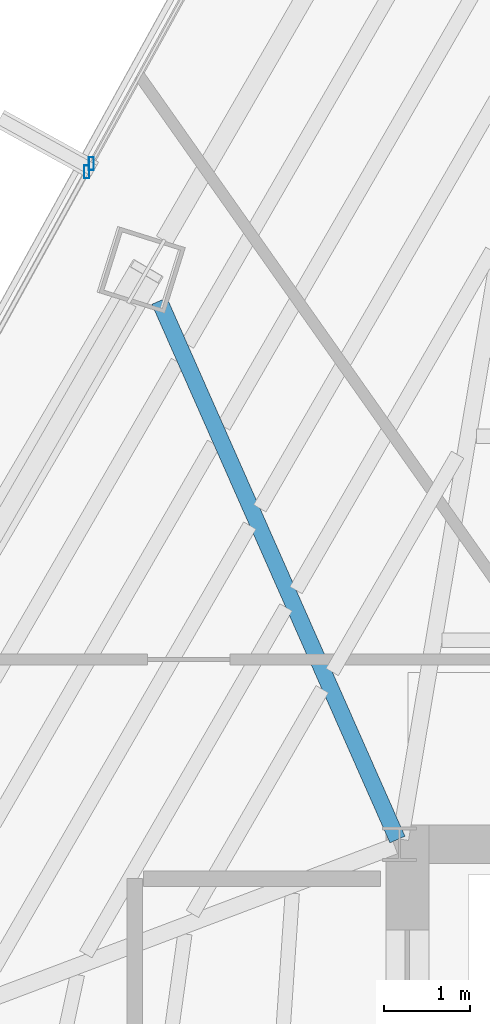
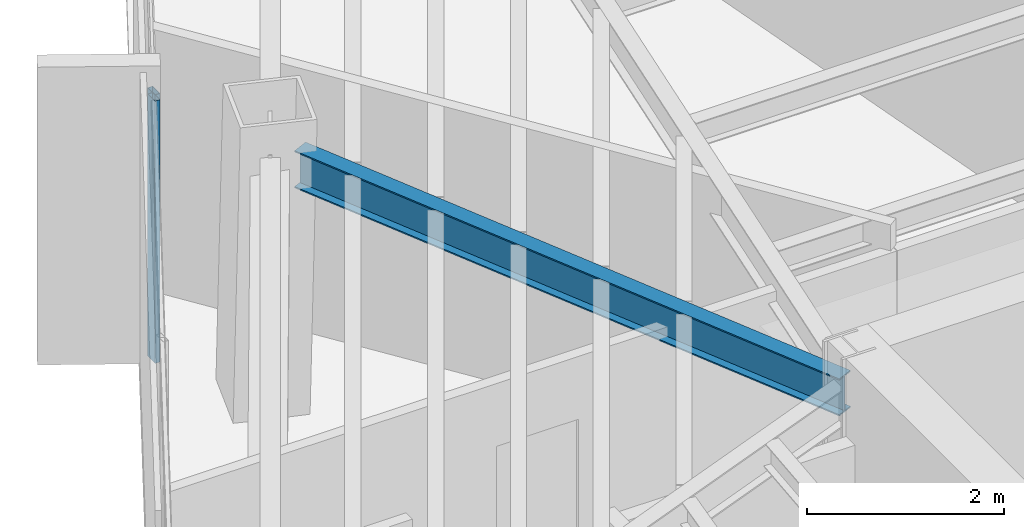
# One storey, part 16 of 40: 2 members, 1 beam, 2 elements without a shape of their own.
"""IFC4 building model written with IfcOpenShell, lengths in metres."""

from ifc_helpers import new_model, si_unit, direction, frame, origin, origin_2d, place, context, subcontext, project, spatial, hollow_rectangle, i_section, extrude, source, transform, mapped, material, material_profile, profile_set, type_object, type_shapes, element, aggregate, save


model = new_model("IFC4")

# Units and contexts
model_context = context("Model", 3, precision=1e-05, world=origin(), true_north=direction((0.0, 1.0)))
body_context = subcontext(model_context, "Body", "Model", "MODEL_VIEW")
ifc_project = project(units=[si_unit("LENGTHUNIT", "METRE"), si_unit("AREAUNIT", "SQUARE_METRE"), si_unit("VOLUMEUNIT", "CUBIC_METRE"), si_unit("PLANEANGLEUNIT", "RADIAN"), si_unit("MASSUNIT", "GRAM", prefix="KILO")], contexts=[model_context])

# Site, building, storey
site_placement = place(None, origin())
site = spatial("IfcSite", under=ifc_project, at=site_placement, CompositionType="ELEMENT")
building_placement = place(site_placement, origin())
building = spatial("IfcBuilding", under=site, at=building_placement, Name="Caelisora Broadcast Tower", CompositionType="ELEMENT")
storey_placement = place(building_placement, frame((0.0, 0.0, 216.89990234375)))
storey = spatial("IfcBuildingStorey", under=building, at=storey_placement, Name="L57", CompositionType="ELEMENT", Elevation=216.89990234375)

# Beam
ifc_material_1 = material(Name="Steel Grade 350 (AS/NZS 3679.1)", Category="steel")
ifc_material_profile_1 = material_profile(ifc_material_1, i_section(OverallWidth=0.19091796875, OverallDepth=0.46044921875, WebThickness=0.010009765625, FlangeThickness=0.01611328125, at=origin_2d()), Name="Steel Grade 350 (AS/NZS 3679.1)")
ifc_profile_set_1 = profile_set([ifc_material_profile_1], Name="Steel Grade 350 (AS/NZS 3679.1)")
beam_type = type_object("IfcBeamType", Name="PG06", PredefinedType="BEAM", material=ifc_profile_set_1)
shared_shape_1 = source(origin(), body_context, "Body", "SweptSolid", [
    extrude(i_section(OverallWidth=0.19091796875, OverallDepth=0.46044921875, WebThickness=0.010009765625, FlangeThickness=0.01611328125, at=origin_2d()), origin(), (0.0, 0.0, 1.0), 6.849365234375),
])
type_shapes(beam_type, [shared_shape_1])
beam_placement = place(storey_placement, frame((30.4755859375, 30.054931640625, 3.02001953125), z_axis=(-0.404351788184, 0.91460353782, 0.0), x_axis=(-0.91460353782, -0.404351788184, 0.0)))
element("IfcBeam", 1, at=beam_placement, inside=storey, type_object=beam_type, Name="L57 beam PG06", PredefinedType="BEAM", context=body_context, shape_type="MappedRepresentation", body=[
    mapped(shared_shape_1, transform((0.0, 0.0, 0.0), scale=1.0)),
])

# Curtain wall, member
ifc_material_2 = material(Name="Unitised Aluminium Insulated Shadow-Box Spandrel Curtain Wall", Category="aluminium")
curtain_wall_type_1 = type_object("IfcCurtainWallType", Name="CW-SP2", PredefinedType="NOTDEFINED", material=ifc_material_2)
curtain_wall_1_placement = place(storey_placement, origin())
curtain_wall_1 = element("IfcCurtainWall", 2, at=curtain_wall_1_placement, inside=storey, type_object=curtain_wall_type_1, Name="L57 curtain wall CW-SP2", PredefinedType="NOTDEFINED")
ifc_material_3 = material(Name="Aluminium 6063-T6 Anodised Terracotta Bronze", Category="aluminium")
ifc_material_profile_2 = material_profile(ifc_material_3, hollow_rectangle(XDim=0.06005859375, YDim=0.14990234375, WallThickness=0.00341796875, at=origin_2d()), Name="Aluminium 6063-T6 Anodised Terracotta Bronze")
ifc_profile_set_2 = profile_set([ifc_material_profile_2], Name="Aluminium 6063-T6 Anodised Terracotta Bronze")
member_type = type_object("IfcMemberType", Name="CWM-03", PredefinedType="MULLION", material=ifc_profile_set_2)
shared_shape_2 = source(origin(), body_context, "Body", "SweptSolid", [
    extrude(hollow_rectangle(XDim=0.06005859375, YDim=0.14990234375, WallThickness=0.00341796875, at=origin_2d()), origin(), (0.0, 0.0, 1.0), 3.25),
])
type_shapes(member_type, [shared_shape_2])
member_1_placement = place(storey_placement, frame((26.861083984375, 37.82177734375, 0.0), z_axis=(0.0, 0.0, 1.0), x_axis=(1.0, 0.0, 0.0)))
member_1 = element("IfcMember", 3, at=member_1_placement, type_object=member_type, Name="L57-CW-B10 mullion #3", PredefinedType="MULLION", context=body_context, shape_type="MappedRepresentation", body=[
    mapped(shared_shape_2, transform((0.0, 0.0, 0.0), scale=1.0)),
])
aggregate(curtain_wall_1, [member_1])

ifc_material_4 = material(Name="Unitised Aluminium and Low-E Glass Curtain Wall", Category="glass")
curtain_wall_type_2 = type_object("IfcCurtainWallType", Name="CW-Z4", PredefinedType="NOTDEFINED", material=ifc_material_4)
curtain_wall_2_placement = place(storey_placement, origin())
curtain_wall_2 = element("IfcCurtainWall", 4, at=curtain_wall_2_placement, inside=storey, type_object=curtain_wall_type_2, Name="L57 curtain wall CW-Z4", PredefinedType="NOTDEFINED")
member_2_placement = place(storey_placement, frame((26.914306640625, 37.918212890625, 0.0), z_axis=(0.0, 0.0, 1.0), x_axis=(1.0, 0.0, 0.0)))
member_2 = element("IfcMember", 5, at=member_2_placement, type_object=member_type, Name="L57-CW-B11 mullion #0", PredefinedType="MULLION", context=body_context, shape_type="MappedRepresentation", body=[
    mapped(shared_shape_2, transform((0.0, 0.0, 0.0), scale=1.0)),
])
aggregate(curtain_wall_2, [member_2])

save(model, "model.ifc")
